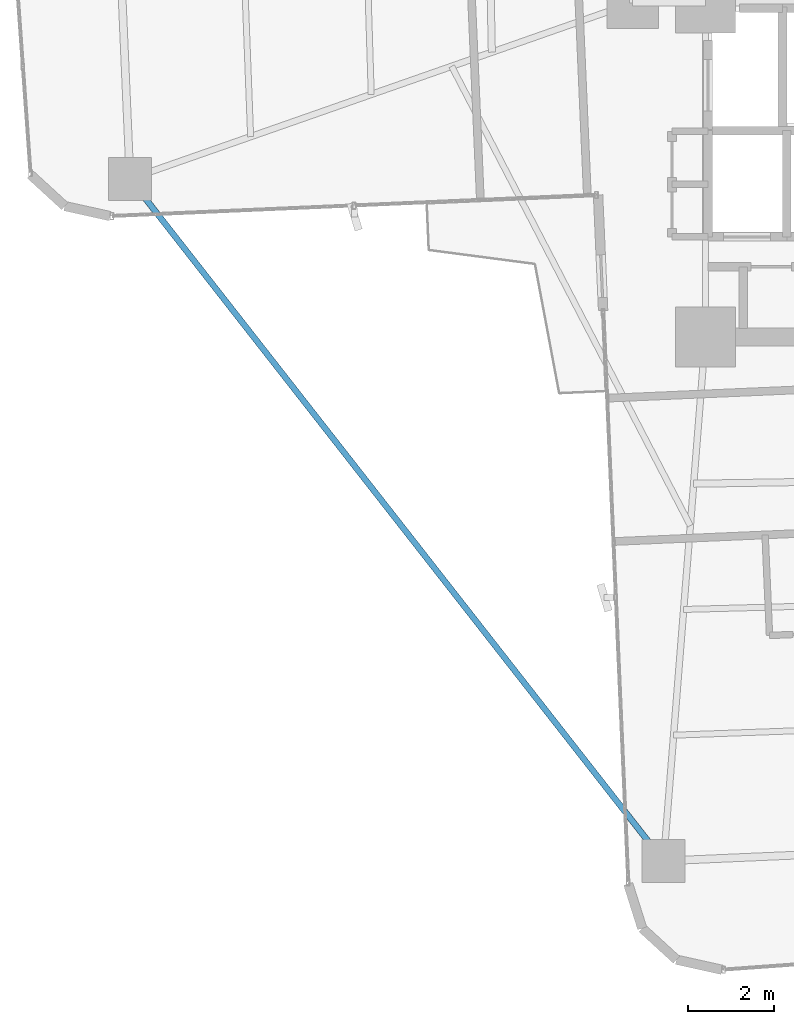
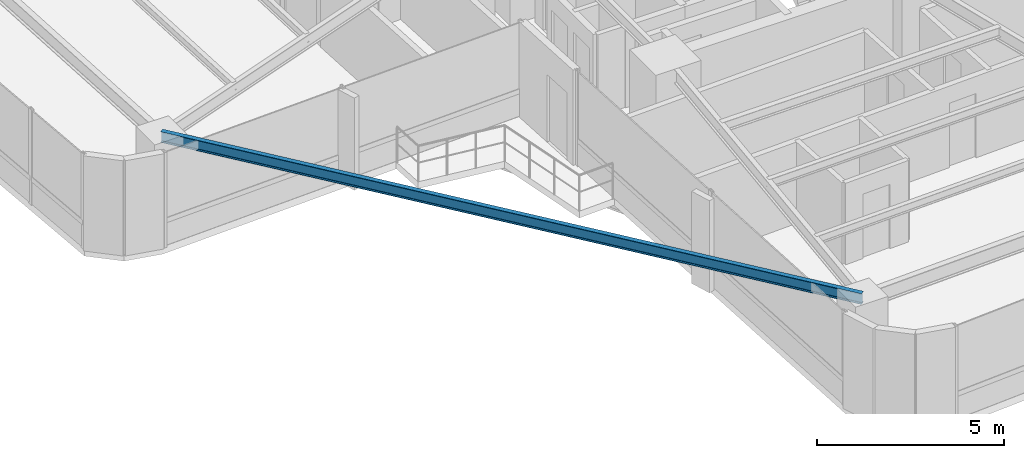
# One storey, part 3 of 26: 1 beam.
"""IFC4 building model written with IfcOpenShell, lengths in metres."""

from ifc_helpers import new_model, si_unit, direction, frame, origin, origin_2d, place, context, subcontext, project, spatial, i_section, extrude, source, transform, mapped, material, material_profile, profile_set, type_object, element, save


model = new_model("IFC4")

# Units and contexts
model_context = context("Model", 3, precision=1e-05, world=origin(), true_north=direction((0.0, 1.0)))
body_context = subcontext(model_context, "Body", "Model", "MODEL_VIEW")
ifc_project = project(units=[si_unit("LENGTHUNIT", "METRE"), si_unit("AREAUNIT", "SQUARE_METRE"), si_unit("VOLUMEUNIT", "CUBIC_METRE"), si_unit("PLANEANGLEUNIT", "RADIAN"), si_unit("MASSUNIT", "GRAM", prefix="KILO")], contexts=[model_context])

# Site, building, storey
site_placement = place(None, origin())
site = spatial("IfcSite", under=ifc_project, at=site_placement, CompositionType="ELEMENT")
building_placement = place(site_placement, origin())
building = spatial("IfcBuilding", under=site, at=building_placement, Name="Sahyath Konkavel Grand Hotel", CompositionType="ELEMENT")
storey_placement = place(building_placement, frame((0.0, 0.0, 118.14990234375)))
storey = spatial("IfcBuildingStorey", under=building, at=storey_placement, Name="L32", CompositionType="ELEMENT", Elevation=118.14990234375)

# Beam
ifc_material = material(Name="Steel E350", Category="steel")
ifc_material_profile = material_profile(ifc_material, i_section(OverallWidth=0.139892578125, OverallDepth=0.35009765625, WebThickness=0.008056640625, FlangeThickness=0.01416015625, FilletRadius=0.013916015625, at=origin_2d()), Name="ISMB 350")
ifc_profile_set = profile_set([ifc_material_profile], Name="Steel E350")
beam_type = type_object("IfcBeamType", Name="BM-ISMB350", PredefinedType="BEAM", material=ifc_profile_set)
shared_shape = source(origin(), body_context, "Body", "SweptSolid", [
    extrude(i_section(OverallWidth=0.139892578125, OverallDepth=0.35009765625, WebThickness=0.008056640625, FlangeThickness=0.01416015625, FilletRadius=0.013916015625, at=origin_2d()), origin(), (0.0, 0.0, 1.0), 20.215576171875),
])
beam_placement = place(storey_placement, frame((-17.232421875, -6.5078125, 2.93505859375), z_axis=(0.616176369687, -0.787608203004, 0.0), x_axis=(0.787608203004, 0.616176369687, 0.0)))
element("IfcBeam", 1, at=beam_placement, inside=storey, type_object=beam_type, Name="L32 Re-Entrant Tie Beam SW", PredefinedType="BEAM", context=body_context, shape_type="MappedRepresentation", body=[
    mapped(shared_shape, transform((0.0, 0.0, 0.0), scale=1.0)),
])

save(model, "model.ifc")
